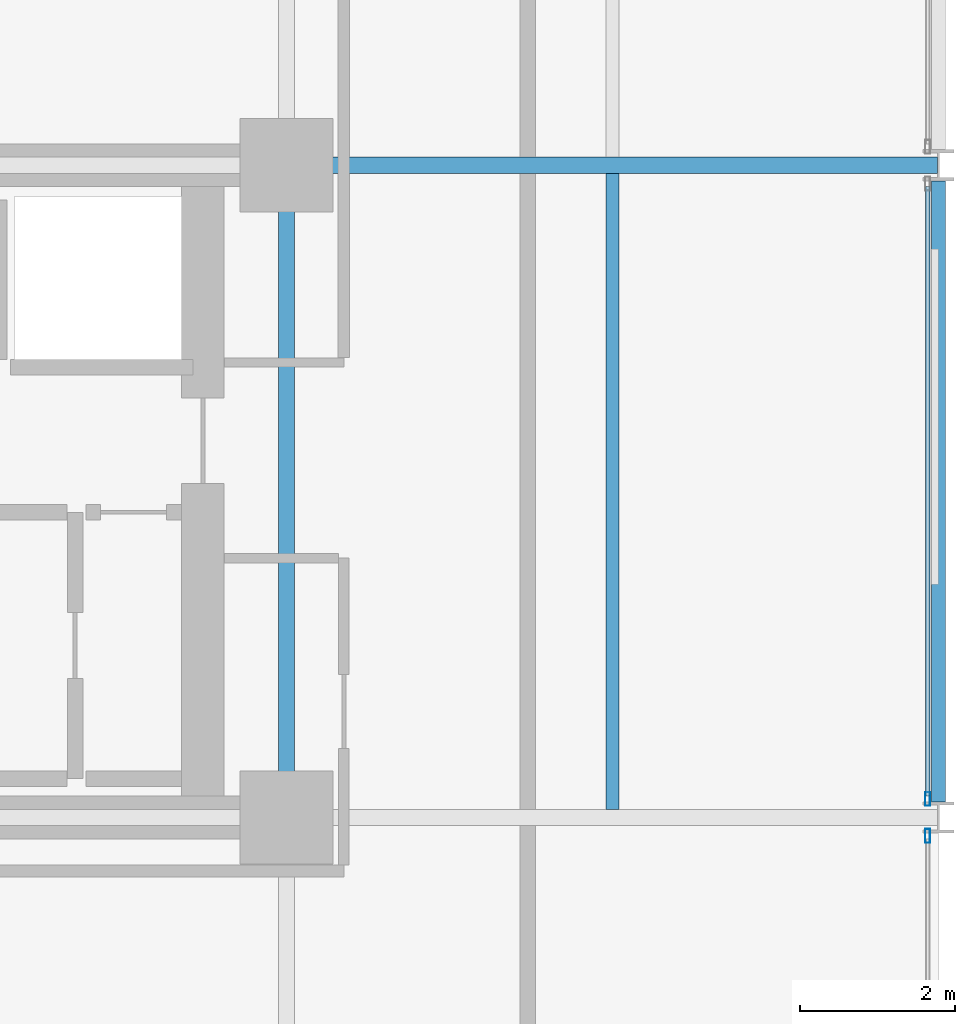
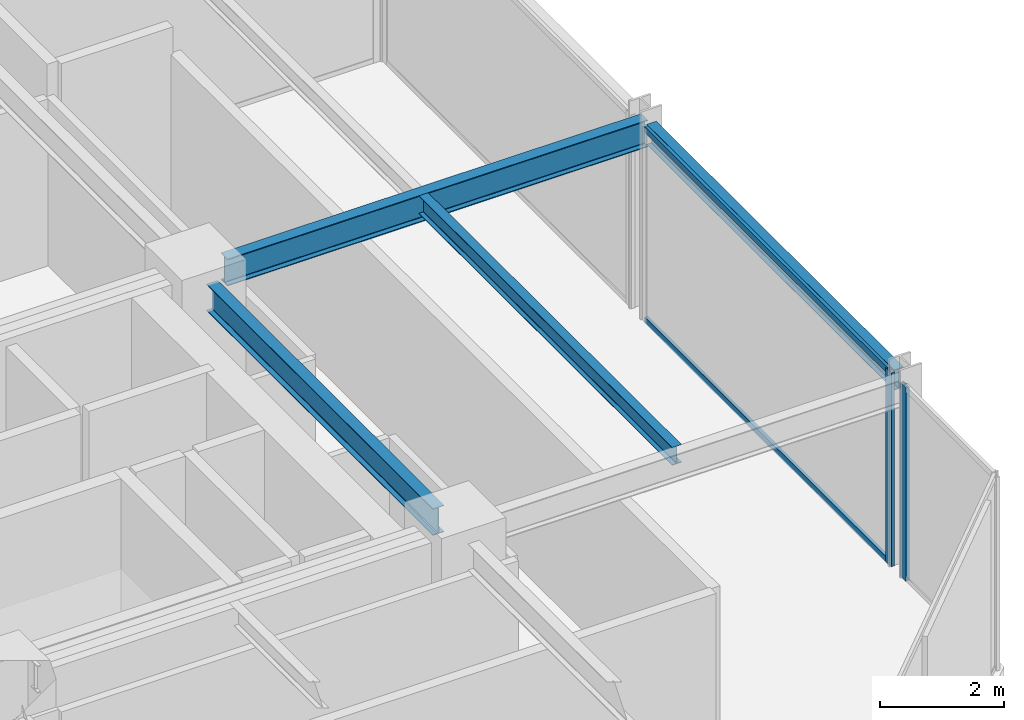
# One storey, part 14 of 29: 4 beams, 4 members, 2 elements without a shape of their own.
"""IFC4 building model written with IfcOpenShell, lengths in metres."""

from ifc_helpers import new_model, si_unit, direction, frame, origin, origin_2d, place, context, subcontext, project, spatial, hollow_rectangle, i_section, extrude, material, layer, layer_set, material_profile, profile_set, type_object, element, aggregate, save


model = new_model("IFC4")

# Units and contexts
model_context = context("Model", 3, precision=1e-05, world=origin(), true_north=direction((0.0, 1.0)))
body_context = subcontext(model_context, "Body", "Model", "MODEL_VIEW")
ifc_project = project(units=[si_unit("LENGTHUNIT", "METRE"), si_unit("AREAUNIT", "SQUARE_METRE"), si_unit("VOLUMEUNIT", "CUBIC_METRE"), si_unit("PLANEANGLEUNIT", "RADIAN"), si_unit("MASSUNIT", "GRAM", prefix="KILO")], contexts=[model_context])

# Site, building, storey
site_placement = place(None, origin())
site = spatial("IfcSite", under=ifc_project, at=site_placement, CompositionType="ELEMENT")
building_placement = place(site_placement, origin())
building = spatial("IfcBuilding", under=site, at=building_placement, Name="Nerrivon Quay Data Exchange", CompositionType="ELEMENT")
storey_placement = place(building_placement, frame((0.0, 0.0, 137.699951171875)))
storey = spatial("IfcBuildingStorey", under=building, at=storey_placement, Name="L32", CompositionType="ELEMENT", Elevation=137.699951171875)

# Beams
ifc_material_1 = material(Name="Steel Grade 350", Category="steel")
ifc_material_profile_1 = material_profile(ifc_material_1, i_section(OverallWidth=0.208984375, OverallDepth=0.532958984375, WebThickness=0.01025390625, FlangeThickness=0.015625, FilletRadius=0.013916015625, at=origin_2d()), Name="530UB92.4")
ifc_profile_set_1 = profile_set([ifc_material_profile_1], Name="Steel Grade 350")
beam_type_1 = type_object("IfcBeamType", Name="BM-G3-530UB92", PredefinedType="BEAM", material=ifc_profile_set_1)
beam_1_placement = place(storey_placement, frame((34.139892578125, 16.800048828125, 3.55859375), z_axis=(1.0, 0.0, 0.0), x_axis=(0.0, 1.0, 0.0)))
element("IfcBeam", 1, at=beam_1_placement, inside=storey, type_object=beam_type_1, Name="L32 EW Girder Y=16.8 (33.6..42.0)", PredefinedType="BEAM", context=body_context, shape_type="SweptSolid", body=[
    extrude(i_section(OverallWidth=0.208984375, OverallDepth=0.532958984375, WebThickness=0.01025390625, FlangeThickness=0.015625, FilletRadius=0.013916015625, at=origin_2d()), origin(), (0.0, 0.0, 1.0), 7.84765625),
])
ifc_material_profile_2 = material_profile(ifc_material_1, i_section(OverallWidth=0.208984375, OverallDepth=0.528076171875, WebThickness=0.009521484375, FlangeThickness=0.01318359375, FilletRadius=0.013916015625, at=origin_2d()), Name="530UB82.0")
ifc_profile_set_2 = profile_set([ifc_material_profile_2], Name="Steel Grade 350")
beam_type_2 = type_object("IfcBeamType", Name="BM-G4-530UB82", PredefinedType="BEAM", material=ifc_profile_set_2)
beam_2_placement = place(storey_placement, frame((33.60009765625, 8.93994140625, 3.56103515625), z_axis=(0.0, 1.0, 0.0), x_axis=(-1.0, 0.0, 0.0)))
element("IfcBeam", 2, at=beam_2_placement, inside=storey, type_object=beam_type_2, Name="L32 NS Girder X=33.6 (8.4..16.8)", PredefinedType="BEAM", context=body_context, shape_type="SweptSolid", body=[
    extrude(i_section(OverallWidth=0.208984375, OverallDepth=0.528076171875, WebThickness=0.009521484375, FlangeThickness=0.01318359375, FilletRadius=0.013916015625, at=origin_2d()), origin(), (0.0, 0.0, 1.0), 7.320068359375),
])
ifc_material_profile_3 = material_profile(ifc_material_1, i_section(OverallWidth=0.1708984375, OverallDepth=0.35595703125, WebThickness=0.00732421875, FlangeThickness=0.011474609375, FilletRadius=0.011474609375, at=origin_2d()), Name="360UB50.7")
ifc_profile_set_3 = profile_set([ifc_material_profile_3], Name="Steel Grade 350")
beam_type_3 = type_object("IfcBeamType", Name="BM-J4-360UB51", PredefinedType="JOIST", material=ifc_profile_set_3)
beam_3_placement = place(storey_placement, frame((37.800048828125, 8.50439453125, 3.64697265625), z_axis=(0.0, 1.0, 0.0), x_axis=(-1.0, 0.0, 0.0)))
element("IfcBeam", 3, at=beam_3_placement, inside=storey, type_object=beam_type_3, Name="L32 Secondary Joist X=37.8 (8.4..16.8)", PredefinedType="JOIST", context=body_context, shape_type="SweptSolid", body=[
    extrude(i_section(OverallWidth=0.1708984375, OverallDepth=0.35595703125, WebThickness=0.00732421875, FlangeThickness=0.011474609375, FilletRadius=0.011474609375, at=origin_2d()), origin(), (0.0, 0.0, 1.0), 8.191162109375),
])
ifc_material_profile_4 = material_profile(ifc_material_1, i_section(OverallWidth=0.177978515625, OverallDepth=0.403076171875, WebThickness=0.007568359375, FlangeThickness=0.010986328125, FilletRadius=0.011474609375, at=origin_2d()), Name="410UB53.7")
ifc_profile_set_4 = profile_set([ifc_material_profile_4], Name="Steel Grade 350")
beam_type_4 = type_object("IfcBeamType", Name="BM-SP2-410UB54", PredefinedType="SPANDREL", material=ifc_profile_set_4)
beam_4_placement = place(storey_placement, frame((42.0, 8.60009765625, 3.62353515625), z_axis=(0.0, 1.0, 0.0), x_axis=(-1.0, 0.0, 0.0)))
element("IfcBeam", 4, at=beam_4_placement, inside=storey, type_object=beam_type_4, Name="L32 NS Girder X=42.0 (8.4..16.8)", PredefinedType="SPANDREL", context=body_context, shape_type="SweptSolid", body=[
    extrude(i_section(OverallWidth=0.177978515625, OverallDepth=0.403076171875, WebThickness=0.007568359375, FlangeThickness=0.010986328125, FilletRadius=0.011474609375, at=origin_2d()), origin(), (0.0, 0.0, 1.0), 8.0),
])

# Curtain wall, member
ifc_material_2 = material(Name="Anodised aluminium 6063-T6", Category="aluminium")
ifc_layer = layer(ifc_material_2, 0.2099609375)
ifc_layer_set = layer_set([ifc_layer], Name="Anodised aluminium 6063-T6")
curtain_wall_type = type_object("IfcCurtainWallType", Name="CW-SYS-02", PredefinedType="NOTDEFINED", material=ifc_layer_set)
curtain_wall_1_placement = place(storey_placement, origin())
curtain_wall_1 = element("IfcCurtainWall", 5, at=curtain_wall_1_placement, inside=storey, type_object=curtain_wall_type, Name="L32 Unitised Curtain Wall 29", PredefinedType="NOTDEFINED")
ifc_material_profile_5 = material_profile(ifc_material_2, hollow_rectangle(XDim=0.06494140625, YDim=0.179931640625, WallThickness=0.00341796875, at=origin_2d()), Name="ALU-MULL-180x65")
ifc_profile_set_5 = profile_set([ifc_material_profile_5], Name="Anodised aluminium 6063-T6")
member_type_1 = type_object("IfcMemberType", Name="CWM-180x65", PredefinedType="MULLION", material=ifc_profile_set_5)
member_1_placement = place(storey_placement, frame((41.860107421875, 8.637451171875, 0.0), z_axis=(0.0, 0.0, 1.0), x_axis=(1.0, 0.0, 0.0)))
member_1 = element("IfcMember", 6, at=member_1_placement, type_object=member_type_1, Name="CW02 mullion 2", PredefinedType="MULLION", context=body_context, shape_type="SweptSolid", body=[
    extrude(hollow_rectangle(XDim=0.06494140625, YDim=0.179931640625, WallThickness=0.00341796875, at=origin_2d()), origin(), (0.0, 0.0, 1.0), 3.824951171875),
])

curtain_wall_2_placement = place(storey_placement, origin())
curtain_wall_2 = element("IfcCurtainWall", 7, at=curtain_wall_2_placement, inside=storey, type_object=curtain_wall_type, Name="L32 Unitised Curtain Wall 30", PredefinedType="NOTDEFINED")
member_2_placement = place(storey_placement, frame((41.860107421875, 8.16259765625, 0.0), z_axis=(0.0, 0.0, 1.0), x_axis=(1.0, 0.0, 0.0)))
member_2 = element("IfcMember", 8, at=member_2_placement, type_object=member_type_1, Name="CW02 mullion 1", PredefinedType="MULLION", context=body_context, shape_type="SweptSolid", body=[
    extrude(hollow_rectangle(XDim=0.06494140625, YDim=0.179931640625, WallThickness=0.00341796875, at=origin_2d()), origin(), (0.0, 0.0, 1.0), 3.824951171875),
])
aggregate(curtain_wall_2, [member_2])

# Member
ifc_material_profile_6 = material_profile(ifc_material_2, hollow_rectangle(XDim=0.06005859375, YDim=0.1201171875, WallThickness=0.003173828125, at=origin_2d()), Name="ALU-TRAN-120x60")
ifc_profile_set_6 = profile_set([ifc_material_profile_6], Name="Anodised aluminium 6063-T6")
member_type_2 = type_object("IfcMemberType", Name="CWT-120x60", PredefinedType="USERDEFINED", material=ifc_profile_set_6)
member_3_placement = place(storey_placement, frame((41.860107421875, 16.52490234375, 0.032470703125), z_axis=(0.0, -1.0, 0.0), x_axis=(1.0, 0.0, 0.0)))
member_3 = element("IfcMember", 9, at=member_3_placement, type_object=member_type_2, Name="CW02 transom 1.1", ObjectType="TRANSOM", PredefinedType="USERDEFINED", context=body_context, shape_type="SweptSolid", body=[
    extrude(hollow_rectangle(XDim=0.06005859375, YDim=0.1201171875, WallThickness=0.003173828125, at=origin_2d()), origin(), (0.0, 0.0, 1.0), 7.849853515625),
])

member_4_placement = place(storey_placement, frame((41.860107421875, 16.52490234375, 3.79248046875), z_axis=(0.0, -1.0, 0.0), x_axis=(1.0, 0.0, 0.0)))
member_4 = element("IfcMember", 10, at=member_4_placement, type_object=member_type_2, Name="CW02 transom 1.2", ObjectType="TRANSOM", PredefinedType="USERDEFINED", context=body_context, shape_type="SweptSolid", body=[
    extrude(hollow_rectangle(XDim=0.06005859375, YDim=0.1201171875, WallThickness=0.003173828125, at=origin_2d()), origin(), (0.0, 0.0, 1.0), 7.849853515625),
])

aggregate(curtain_wall_1, [member_1, member_3, member_4])

save(model, "model.ifc")
